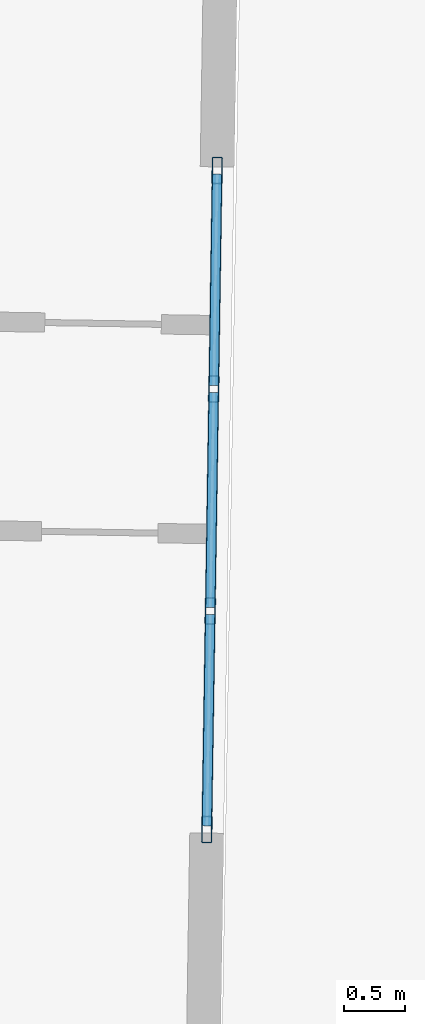
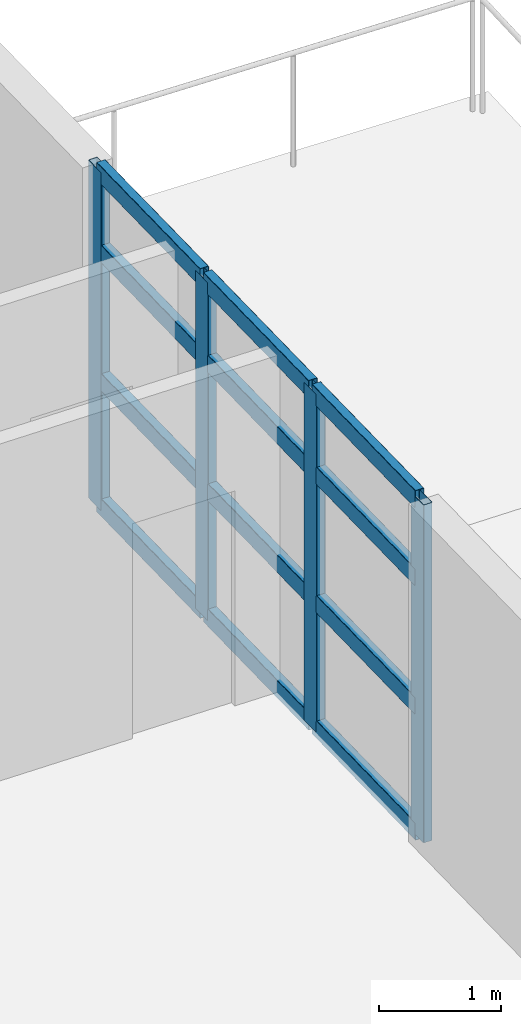
# One storey, part 8 of 22: 16 members, 1 element without a shape of its own.
"""IFC4 building model written with IfcOpenShell, lengths in metres."""

from ifc_helpers import new_model, si_unit, direction, frame, origin, origin_2d, place, context, subcontext, project, spatial, hollow_rectangle, extrude, material, layer, layer_set, material_profile, profile_set, type_object, element, aggregate, save


model = new_model("IFC4")

# Units and contexts
model_context = context("Model", 3, precision=1e-05, world=origin(), true_north=direction((0.0, 1.0)))
body_context = subcontext(model_context, "Body", "Model", "MODEL_VIEW")
ifc_project = project(units=[si_unit("LENGTHUNIT", "METRE"), si_unit("AREAUNIT", "SQUARE_METRE"), si_unit("VOLUMEUNIT", "CUBIC_METRE"), si_unit("PLANEANGLEUNIT", "RADIAN"), si_unit("MASSUNIT", "GRAM", prefix="KILO")], contexts=[model_context])

# Site, building, storey
site_placement = place(None, origin())
site = spatial("IfcSite", under=ifc_project, at=site_placement, CompositionType="ELEMENT")
building_placement = place(site_placement, origin())
building = spatial("IfcBuilding", under=site, at=building_placement, Name="Qingluan Cross Belvedere", CompositionType="ELEMENT")
storey_placement = place(building_placement, frame((0.0, 0.0, 100.199951171875)))
storey = spatial("IfcBuildingStorey", under=building, at=storey_placement, Name="L25", CompositionType="ELEMENT", Elevation=100.199951171875)

# Curtain wall, members
ifc_material_1 = material(Name="Thermally broken aluminium and Low-E glass", Category="aluminium")
ifc_layer = layer(ifc_material_1, 0.199951171875, Name="UnitisedCW_SkyLobbyLow")
ifc_layer_set = layer_set([ifc_layer], Name="Thermally broken aluminium and Low-E glass")
curtain_wall_type = type_object("IfcCurtainWallType", Name="UnitisedCW_SkyLobbyLow", PredefinedType="USERDEFINED", material=ifc_layer_set)
curtain_wall_placement = place(storey_placement, origin())
curtain_wall = element("IfcCurtainWall", 1, at=curtain_wall_placement, inside=storey, type_object=curtain_wall_type, Name="UnitisedCW_SkyLobbyLow run env:cw:L25:E", ObjectType="UNITISED CURTAIN WALL", PredefinedType="USERDEFINED")
ifc_material_2 = material(Name="Aluminium alloy 6063-T6", Category="aluminium")
ifc_material_profile_1 = material_profile(ifc_material_2, hollow_rectangle(XDim=0.0849609375, YDim=0.219970703125, WallThickness=0.0048828125, InnerFilletRadius=0.0048828125, OuterFilletRadius=0.010009765625, at=origin_2d()), Name="CWM220x85x5")
ifc_profile_set_1 = profile_set([ifc_material_profile_1], Name="Aluminium alloy 6063-T6")
member_type_1 = type_object("IfcMemberType", Name="CWMullion_220", PredefinedType="MULLION", material=ifc_profile_set_1)
member_1_placement = place(storey_placement, frame((29.73388671875, -3.181396484375, 0.0), z_axis=(0.0, 0.0, 1.0), x_axis=(-0.999876922486, 0.015688845697, 0.0)))
member_1 = element("IfcMember", 2, at=member_1_placement, type_object=member_type_1, Name="CW-S1 mullion 1", PredefinedType="MULLION", context=body_context, shape_type="SweptSolid", body=[
    extrude(hollow_rectangle(XDim=0.0849609375, YDim=0.219970703125, WallThickness=0.0048828125, InnerFilletRadius=0.0048828125, OuterFilletRadius=0.010009765625, at=origin_2d()), origin(), (0.0, 0.0, 1.0), 3.380126953125),
])
member_2_placement = place(storey_placement, frame((29.761962890625, -1.38232421875, 0.0), z_axis=(0.0, 0.0, 1.0), x_axis=(-0.999876922486, 0.015688845697, 0.0)))
member_2 = element("IfcMember", 3, at=member_2_placement, type_object=member_type_1, Name="CW-S1 mullion 2", PredefinedType="MULLION", context=body_context, shape_type="SweptSolid", body=[
    extrude(hollow_rectangle(XDim=0.0849609375, YDim=0.219970703125, WallThickness=0.0048828125, InnerFilletRadius=0.0048828125, OuterFilletRadius=0.010009765625, at=origin_2d()), origin(), (0.0, 0.0, 1.0), 3.380126953125),
])
member_3_placement = place(storey_placement, frame((29.790771484375, 0.44677734375, 0.0), z_axis=(0.0, 0.0, 1.0), x_axis=(-0.999876922486, 0.015688845697, 0.0)))
member_3 = element("IfcMember", 4, at=member_3_placement, type_object=member_type_1, Name="CW-S1 mullion 3", PredefinedType="MULLION", context=body_context, shape_type="SweptSolid", body=[
    extrude(hollow_rectangle(XDim=0.0849609375, YDim=0.219970703125, WallThickness=0.0048828125, InnerFilletRadius=0.0048828125, OuterFilletRadius=0.010009765625, at=origin_2d()), origin(), (0.0, 0.0, 1.0), 3.380126953125),
])
member_4_placement = place(storey_placement, frame((29.81884765625, 2.245849609375, 0.0), z_axis=(0.0, 0.0, 1.0), x_axis=(-0.999876922486, 0.015688845697, 0.0)))
member_4 = element("IfcMember", 5, at=member_4_placement, type_object=member_type_1, Name="CW-S1 mullion 4", PredefinedType="MULLION", context=body_context, shape_type="SweptSolid", body=[
    extrude(hollow_rectangle(XDim=0.0849609375, YDim=0.219970703125, WallThickness=0.0048828125, InnerFilletRadius=0.0048828125, OuterFilletRadius=0.010009765625, at=origin_2d()), origin(), (0.0, 0.0, 1.0), 3.380126953125),
])
ifc_material_3 = material(Name="Aluminium alloy 6063-T6", Category="aluminium")
ifc_material_profile_2 = material_profile(ifc_material_3, hollow_rectangle(XDim=0.0849609375, YDim=0.179931640625, WallThickness=0.00390625, InnerFilletRadius=0.00390625, OuterFilletRadius=0.008056640625, at=origin_2d()), Name="CWT180x85x4")
ifc_profile_set_2 = profile_set([ifc_material_profile_2], Name="Aluminium alloy 6063-T6")
member_type_2 = type_object("IfcMemberType", Name="CWTransom_180", PredefinedType="USERDEFINED", material=ifc_profile_set_2)
member_5_placement = place(storey_placement, frame((29.734130859375, -3.1513671875, 0.030029296875), z_axis=(0.015721768553, 0.999876405359, 0.0), x_axis=(-0.999876405359, 0.015721768553, 0.0)))
member_5 = element("IfcMember", 6, at=member_5_placement, type_object=member_type_2, Name="CW-S1 transom 1.1", ObjectType="TRANSOM", PredefinedType="USERDEFINED", context=body_context, shape_type="SweptSolid", body=[
    extrude(hollow_rectangle(XDim=0.0849609375, YDim=0.179931640625, WallThickness=0.00390625, InnerFilletRadius=0.00390625, OuterFilletRadius=0.008056640625, at=origin_2d()), origin(), (0.0, 0.0, 1.0), 1.7392578125),
])
member_6_placement = place(storey_placement, frame((29.734130859375, -3.1513671875, 1.283935546875), z_axis=(0.015721768553, 0.999876405359, 0.0), x_axis=(-0.999876405359, 0.015721768553, 0.0)))
member_6 = element("IfcMember", 7, at=member_6_placement, type_object=member_type_2, Name="CW-S1 transom 1.2", ObjectType="TRANSOM", PredefinedType="USERDEFINED", context=body_context, shape_type="SweptSolid", body=[
    extrude(hollow_rectangle(XDim=0.0849609375, YDim=0.179931640625, WallThickness=0.00390625, InnerFilletRadius=0.00390625, OuterFilletRadius=0.008056640625, at=origin_2d()), origin(), (0.0, 0.0, 1.0), 1.7392578125),
])
member_7_placement = place(storey_placement, frame((29.734130859375, -3.1513671875, 2.569091796875), z_axis=(0.015721768553, 0.999876405359, 0.0), x_axis=(-0.999876405359, 0.015721768553, 0.0)))
member_7 = element("IfcMember", 8, at=member_7_placement, type_object=member_type_2, Name="CW-S1 transom 1.3", ObjectType="TRANSOM", PredefinedType="USERDEFINED", context=body_context, shape_type="SweptSolid", body=[
    extrude(hollow_rectangle(XDim=0.0849609375, YDim=0.179931640625, WallThickness=0.00390625, InnerFilletRadius=0.00390625, OuterFilletRadius=0.008056640625, at=origin_2d()), origin(), (0.0, 0.0, 1.0), 1.7392578125),
])
member_8_placement = place(storey_placement, frame((29.734130859375, -3.1513671875, 3.35009765625), z_axis=(0.015721768553, 0.999876405359, 0.0), x_axis=(-0.999876405359, 0.015721768553, 0.0)))
member_8 = element("IfcMember", 9, at=member_8_placement, type_object=member_type_2, Name="CW-S1 transom 1.4", ObjectType="TRANSOM", PredefinedType="USERDEFINED", context=body_context, shape_type="SweptSolid", body=[
    extrude(hollow_rectangle(XDim=0.0849609375, YDim=0.179931640625, WallThickness=0.00390625, InnerFilletRadius=0.00390625, OuterFilletRadius=0.008056640625, at=origin_2d()), origin(), (0.0, 0.0, 1.0), 1.7392578125),
])
member_9_placement = place(storey_placement, frame((29.762451171875, -1.352294921875, 0.030029296875), z_axis=(0.015730871362, 0.999876262188, 0.0), x_axis=(-0.999876262188, 0.015730871362, 0.0)))
member_9 = element("IfcMember", 10, at=member_9_placement, type_object=member_type_2, Name="CW-S1 transom 2.1", ObjectType="TRANSOM", PredefinedType="USERDEFINED", context=body_context, shape_type="SweptSolid", body=[
    extrude(hollow_rectangle(XDim=0.0849609375, YDim=0.179931640625, WallThickness=0.00390625, InnerFilletRadius=0.00390625, OuterFilletRadius=0.008056640625, at=origin_2d()), origin(), (0.0, 0.0, 1.0), 1.769287109375),
])
member_10_placement = place(storey_placement, frame((29.762451171875, -1.352294921875, 1.283935546875), z_axis=(0.015730871362, 0.999876262188, 0.0), x_axis=(-0.999876262188, 0.015730871362, 0.0)))
member_10 = element("IfcMember", 11, at=member_10_placement, type_object=member_type_2, Name="CW-S1 transom 2.2", ObjectType="TRANSOM", PredefinedType="USERDEFINED", context=body_context, shape_type="SweptSolid", body=[
    extrude(hollow_rectangle(XDim=0.0849609375, YDim=0.179931640625, WallThickness=0.00390625, InnerFilletRadius=0.00390625, OuterFilletRadius=0.008056640625, at=origin_2d()), origin(), (0.0, 0.0, 1.0), 1.769287109375),
])
member_11_placement = place(storey_placement, frame((29.762451171875, -1.352294921875, 2.569091796875), z_axis=(0.015730871362, 0.999876262188, 0.0), x_axis=(-0.999876262188, 0.015730871362, 0.0)))
member_11 = element("IfcMember", 12, at=member_11_placement, type_object=member_type_2, Name="CW-S1 transom 2.3", ObjectType="TRANSOM", PredefinedType="USERDEFINED", context=body_context, shape_type="SweptSolid", body=[
    extrude(hollow_rectangle(XDim=0.0849609375, YDim=0.179931640625, WallThickness=0.00390625, InnerFilletRadius=0.00390625, OuterFilletRadius=0.008056640625, at=origin_2d()), origin(), (0.0, 0.0, 1.0), 1.769287109375),
])
member_12_placement = place(storey_placement, frame((29.762451171875, -1.352294921875, 3.35009765625), z_axis=(0.015730871362, 0.999876262188, 0.0), x_axis=(-0.999876262188, 0.015730871362, 0.0)))
member_12 = element("IfcMember", 13, at=member_12_placement, type_object=member_type_2, Name="CW-S1 transom 2.4", ObjectType="TRANSOM", PredefinedType="USERDEFINED", context=body_context, shape_type="SweptSolid", body=[
    extrude(hollow_rectangle(XDim=0.0849609375, YDim=0.179931640625, WallThickness=0.00390625, InnerFilletRadius=0.00390625, OuterFilletRadius=0.008056640625, at=origin_2d()), origin(), (0.0, 0.0, 1.0), 1.769287109375),
])
member_13_placement = place(storey_placement, frame((29.791259765625, 0.476806640625, 0.030029296875), z_axis=(0.015581429852, 0.999878602153, 0.0), x_axis=(-0.999878602153, 0.015581429852, 0.0)))
member_13 = element("IfcMember", 14, at=member_13_placement, type_object=member_type_2, Name="CW-S1 transom 3.1", ObjectType="TRANSOM", PredefinedType="USERDEFINED", context=body_context, shape_type="SweptSolid", body=[
    extrude(hollow_rectangle(XDim=0.0849609375, YDim=0.179931640625, WallThickness=0.00390625, InnerFilletRadius=0.00390625, OuterFilletRadius=0.008056640625, at=origin_2d()), origin(), (0.0, 0.0, 1.0), 1.7392578125),
])
member_14_placement = place(storey_placement, frame((29.791259765625, 0.476806640625, 1.283935546875), z_axis=(0.015581429852, 0.999878602153, 0.0), x_axis=(-0.999878602153, 0.015581429852, 0.0)))
member_14 = element("IfcMember", 15, at=member_14_placement, type_object=member_type_2, Name="CW-S1 transom 3.2", ObjectType="TRANSOM", PredefinedType="USERDEFINED", context=body_context, shape_type="SweptSolid", body=[
    extrude(hollow_rectangle(XDim=0.0849609375, YDim=0.179931640625, WallThickness=0.00390625, InnerFilletRadius=0.00390625, OuterFilletRadius=0.008056640625, at=origin_2d()), origin(), (0.0, 0.0, 1.0), 1.7392578125),
])
member_15_placement = place(storey_placement, frame((29.791259765625, 0.476806640625, 2.569091796875), z_axis=(0.015581429852, 0.999878602153, 0.0), x_axis=(-0.999878602153, 0.015581429852, 0.0)))
member_15 = element("IfcMember", 16, at=member_15_placement, type_object=member_type_2, Name="CW-S1 transom 3.3", ObjectType="TRANSOM", PredefinedType="USERDEFINED", context=body_context, shape_type="SweptSolid", body=[
    extrude(hollow_rectangle(XDim=0.0849609375, YDim=0.179931640625, WallThickness=0.00390625, InnerFilletRadius=0.00390625, OuterFilletRadius=0.008056640625, at=origin_2d()), origin(), (0.0, 0.0, 1.0), 1.7392578125),
])
member_16_placement = place(storey_placement, frame((29.791259765625, 0.476806640625, 3.35009765625), z_axis=(0.015581429852, 0.999878602153, 0.0), x_axis=(-0.999878602153, 0.015581429852, 0.0)))
member_16 = element("IfcMember", 17, at=member_16_placement, type_object=member_type_2, Name="CW-S1 transom 3.4", ObjectType="TRANSOM", PredefinedType="USERDEFINED", context=body_context, shape_type="SweptSolid", body=[
    extrude(hollow_rectangle(XDim=0.0849609375, YDim=0.179931640625, WallThickness=0.00390625, InnerFilletRadius=0.00390625, OuterFilletRadius=0.008056640625, at=origin_2d()), origin(), (0.0, 0.0, 1.0), 1.7392578125),
])
aggregate(curtain_wall, [member_1, member_2, member_3, member_4, member_5, member_6, member_7, member_8, member_9, member_10, member_11, member_12, member_13, member_14, member_15, member_16])

save(model, "model.ifc")
